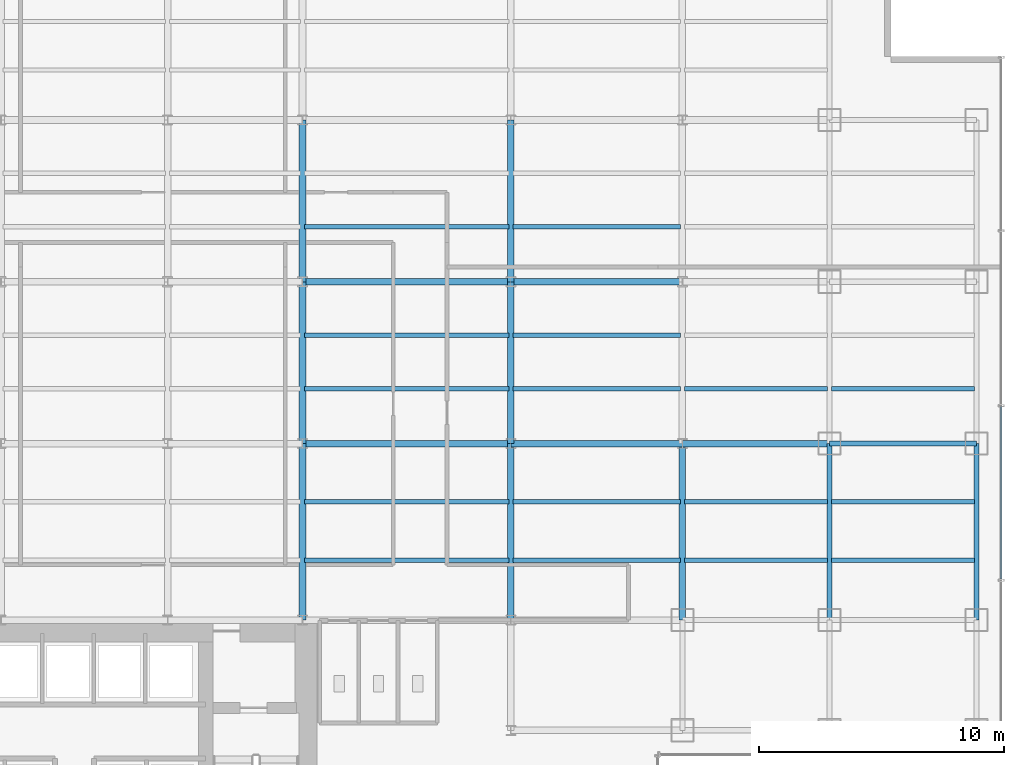
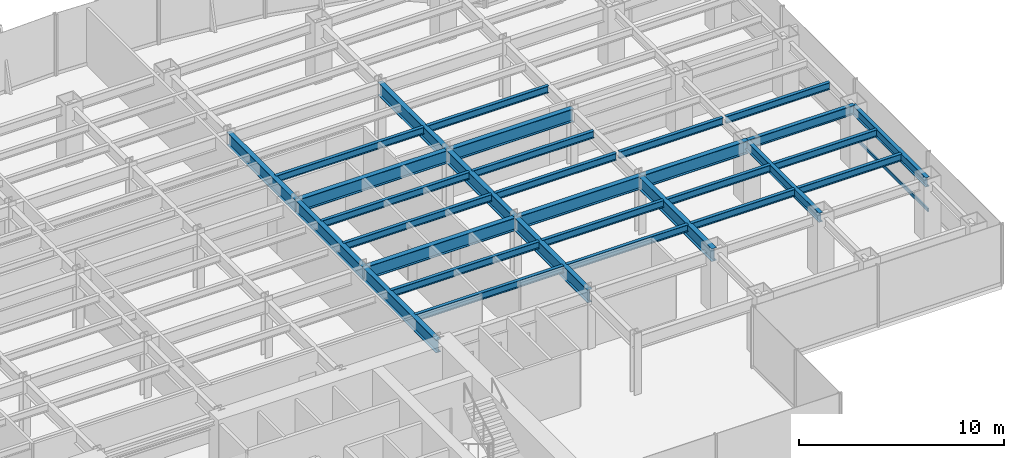
# One storey, part 8 of 22: 31 beams, 1 member, 1 element without a shape of its own.
"""IFC4 building model written with IfcOpenShell, lengths in metres."""

import ifcopenshell
import ifcopenshell.guid

model = None  # the IFC model being written
_history = None  # IfcOwnerHistory: only IFC2X3 demands one
_inside = {}  # id of a spatial element -> (the spatial element, [elements in it])
_under = {}  # id of a project, library or spatial element -> (it, [spatial elements below it])
_declared = {}  # id of a project -> (the project, [libraries it declares])
_typed = {}  # id of a type object -> (the type object, [elements of that type])
_made_of = {}  # id of a material, layer set ... -> (it, [elements and type objects made of it])


def new_model(schema):
    """Start an empty IFC model of exactly this schema.

    Asked for "IFC4X3", IfcOpenShell would pick the latest addendum, in which some entities
    have other attributes; the version numbers below select the first issue.
    IFC2X3 requires an IfcOwnerHistory on every rooted entity: one is made here for all.
    """
    global model, _history
    if schema == "IFC4X3":
        model = ifcopenshell.file(schema_version=(4, 3, 0, 0))
    else:
        model = ifcopenshell.file(schema=schema)
    _inside.clear()
    _under.clear()
    _declared.clear()
    _typed.clear()
    _made_of.clear()
    _history = None
    if model.schema == "IFC2X3":
        org = make("IfcOrganization", Name="unknown")
        user = make(
            "IfcPersonAndOrganization",
            ThePerson=make("IfcPerson", FamilyName="unknown"),
            TheOrganization=org,
        )
        app = make(
            "IfcApplication",
            ApplicationDeveloper=org,
            Version="unknown",
            ApplicationFullName="unknown",
            ApplicationIdentifier="unknown",
        )
        _history = make(
            "IfcOwnerHistory",
            OwningUser=user,
            OwningApplication=app,
            ChangeAction="ADDED",
            CreationDate=0,
        )
    return model


def make(cls, **values):
    """One entity of the class cls with the attributes given. An attribute that is None is left unset."""
    return model.create_entity(
        cls, **{name: value for name, value in values.items() if value is not None}
    )


def rooted(cls, **values):
    """An entity with a GlobalId (a new one), such as an element, a storey or a relation."""
    return make(cls, GlobalId=ifcopenshell.guid.new(), OwnerHistory=_history, **values)


def si_unit(unit_type, name, prefix=None):
    """IfcSIUnit, for example si_unit("LENGTHUNIT", "METRE", prefix="MILLI")."""
    return make("IfcSIUnit", UnitType=unit_type, Prefix=prefix, Name=name)


def derived_unit(unit_type, elements):
    """IfcDerivedUnit: a product of units, each with its exponent."""
    return make(
        "IfcDerivedUnit",
        Elements=[
            make("IfcDerivedUnitElement", Unit=unit, Exponent=power)
            for unit, power in elements
        ],
        UnitType=unit_type,
    )


def assignment(units):
    """IfcUnitAssignment: the units of a project."""
    return None if units is None else make("IfcUnitAssignment", Units=units)


def point(xyz):
    """IfcCartesianPoint."""
    return None if xyz is None else make("IfcCartesianPoint", Coordinates=xyz)


def direction(xyz):
    """IfcDirection."""
    return None if xyz is None else make("IfcDirection", DirectionRatios=xyz)


def frame(location, z_axis=None, x_axis=None):
    """IfcAxis2Placement3D, a coordinate frame: its origin and axes. An axis left out is left unset."""
    return make(
        "IfcAxis2Placement3D",
        Location=point(location),
        Axis=direction(z_axis),
        RefDirection=direction(x_axis),
    )


def frame_2d(location, x_axis=None):
    """IfcAxis2Placement2D, a coordinate frame in the plane: its origin and x axis."""
    return make(
        "IfcAxis2Placement2D", Location=point(location), RefDirection=direction(x_axis)
    )


def origin():
    """The frame at (0, 0, 0) with its axes left unset."""
    return frame((0.0, 0.0, 0.0))


def origin_2d():
    """The frame at (0, 0) in the plane with its x axis left unset."""
    return frame_2d((0.0, 0.0))


def place(relative_to, where):
    """IfcLocalPlacement: puts the frame where relative to a parent placement (None: the world)."""
    return make(
        "IfcLocalPlacement", PlacementRelTo=relative_to, RelativePlacement=where
    )


def context(
    kind, dimensions, precision=None, world=None, true_north=None, identifier=None
):
    """IfcGeometricRepresentationContext, for example the 3D "Model" context."""
    return make(
        "IfcGeometricRepresentationContext",
        ContextIdentifier=identifier,
        ContextType=kind,
        CoordinateSpaceDimension=dimensions,
        Precision=precision,
        WorldCoordinateSystem=world,
        TrueNorth=true_north,
    )


def subcontext(parent, identifier, kind, view, scale=None):
    """IfcGeometricRepresentationSubContext, for example "Body" below "Model"."""
    return make(
        "IfcGeometricRepresentationSubContext",
        ContextIdentifier=identifier,
        ContextType=kind,
        ParentContext=parent,
        TargetScale=scale,
        TargetView=view,
    )


def project(units=None, contexts=None):
    """IfcProject with its units and contexts."""
    return rooted(
        "IfcProject",
        Name="project",
        RepresentationContexts=contexts,
        UnitsInContext=assignment(units),
    )


def spatial(cls, under=None, at=None, **own):
    """A site, building, storey or space (cls), placed at a placement, below another one or the project."""
    s = rooted(cls, ObjectPlacement=at, **own)
    if under is not None:
        _under.setdefault(under.id(), (under, []))[1].append(s)
    return s


def profile(cls, at=None, kind="AREA", **sizes):
    """A parametric profile (cls). Its sizes go by their IFC names, for example OverallWidth=200.0."""
    return make(cls, ProfileType=kind, Position=at, **sizes)


def hollow_rectangle(**sizes):
    """IfcRectangleHollowProfileDef."""
    return profile("IfcRectangleHollowProfileDef", **sizes)


def i_section(**sizes):
    """IfcIShapeProfileDef."""
    return profile("IfcIShapeProfileDef", **sizes)


def extrude(swept, where, along, depth):
    """IfcExtrudedAreaSolid: the profile swept, set in the frame where, extruded along a direction by depth."""
    return make(
        "IfcExtrudedAreaSolid",
        SweptArea=swept,
        Position=where,
        ExtrudedDirection=direction(along),
        Depth=depth,
    )


def shape(context_of_items, identifier, shape_type, items):
    """IfcShapeRepresentation: the items that make up one representation, for example the "Body"."""
    return make(
        "IfcShapeRepresentation",
        ContextOfItems=context_of_items,
        RepresentationIdentifier=identifier,
        RepresentationType=shape_type,
        Items=items,
    )


def source(mapping_origin, context_of_items, identifier, shape_type, items):
    """IfcRepresentationMap: a shape defined once, which mapped items show again and again."""
    return make(
        "IfcRepresentationMap",
        MappingOrigin=mapping_origin,
        MappedRepresentation=shape(context_of_items, identifier, shape_type, items),
    )


def transform(
    local_origin,
    x_axis=None,
    y_axis=None,
    z_axis=None,
    scale=None,
    scale2=None,
    scale3=None,
    uniform=True,
):
    """IfcCartesianTransformationOperator3D, or its non-uniform kind. x_axis, y_axis, z_axis: its Axis1, 2, 3."""
    if uniform:
        return make(
            "IfcCartesianTransformationOperator3D",
            Axis1=direction(x_axis),
            Axis2=direction(y_axis),
            LocalOrigin=point(local_origin),
            Scale=scale,
            Axis3=direction(z_axis),
        )
    return make(
        "IfcCartesianTransformationOperator3DnonUniform",
        Axis1=direction(x_axis),
        Axis2=direction(y_axis),
        LocalOrigin=point(local_origin),
        Scale=scale,
        Axis3=direction(z_axis),
        Scale2=scale2,
        Scale3=scale3,
    )


def mapped(mapping_source, mapping_target):
    """IfcMappedItem: shows the shape of a source again, moved by a transform."""
    return make(
        "IfcMappedItem", MappingSource=mapping_source, MappingTarget=mapping_target
    )


def material(Name=None, Category=None):
    """IfcMaterial."""
    return make("IfcMaterial", Name=Name, Category=Category)


def material_profile(
    of_material, cross_section, Name=None, Category=None, Priority=None
):
    """IfcMaterialProfile: a cross section and its material."""
    return make(
        "IfcMaterialProfile",
        Name=Name,
        Material=of_material,
        Profile=cross_section,
        Priority=Priority,
        Category=Category,
    )


def profile_set(profiles, Name=None, composite=None):
    """IfcMaterialProfileSet."""
    return make(
        "IfcMaterialProfileSet",
        Name=Name,
        MaterialProfiles=profiles,
        CompositeProfile=composite,
    )


def made_of(thing, what):
    """Note that an element or type object is made of a material, layer set ...; save() writes the relation."""
    if what is not None:
        _made_of.setdefault(what.id(), (what, []))[1].append(thing)
    return thing


def type_object(cls, material=None, **own):
    """A type object (cls), such as IfcWallType, which elements share."""
    return made_of(rooted(cls, **own), material)


def element(
    cls,
    number,
    at=None,
    inside=None,
    cuts=None,
    type_object=None,
    material=None,
    context=None,
    identifier="Body",
    shape_type=None,
    held_by="IfcProductDefinitionShape",
    body=None,
    shapes=None,
    **own,
):
    """One element of the class cls, such as IfcWall. Its Tag is "e" and its number.

    at: its placement. inside: the storey or other place that contains it. cuts: it is an
    opening in that element (IfcRelVoidsElement). A single representation is given by context,
    identifier, shape_type and body (its items); several are given by shapes. held_by: the class
    of the entity that holds the representations. save() writes the other relations.
    """
    e = rooted(cls, Tag="e%d" % number, ObjectPlacement=at, **own)
    if body is not None:
        shapes = [shape(context, identifier, shape_type, body)]
    if shapes is not None:
        e.Representation = make(held_by, Representations=shapes)
    if inside is not None:
        _inside.setdefault(inside.id(), (inside, []))[1].append(e)
    if cuts is not None:
        rooted(
            "IfcRelVoidsElement", RelatingBuildingElement=cuts, RelatedOpeningElement=e
        )
    if type_object is not None:
        _typed.setdefault(type_object.id(), (type_object, []))[1].append(e)
    return made_of(e, material)


def aggregate(whole, parts):
    """IfcRelAggregates: a whole, such as a stair, and the parts it consists of."""
    return rooted("IfcRelAggregates", RelatingObject=whole, RelatedObjects=parts)


def save(model, path):
    """Write the relations noted so far, then the file.

    IfcRelAggregates (storeys below a building ...), IfcRelContainedInSpatialStructure (elements
    in a storey), IfcRelDefinesByType, IfcRelAssociatesMaterial and IfcRelDeclares: one each for
    every whole, place, type object, material and project.
    """
    for whole, parts in _under.values():
        aggregate(whole, parts)
    for where, things in _inside.values():
        rooted(
            "IfcRelContainedInSpatialStructure",
            RelatedElements=things,
            RelatingStructure=where,
        )
    for kind, things in _typed.values():
        rooted("IfcRelDefinesByType", RelatedObjects=things, RelatingType=kind)
    for what, things in _made_of.values():
        rooted("IfcRelAssociatesMaterial", RelatedObjects=things, RelatingMaterial=what)
    for by, libraries in _declared.values():
        rooted("IfcRelDeclares", RelatingContext=by, RelatedDefinitions=libraries)
    model.write(path)


model = new_model("IFC4")

# Units and contexts
model_context = context("Model", 3, precision=1e-05, world=origin(), true_north=direction((0.0, 1.0)))
body_context = subcontext(model_context, "Body", "Model", "MODEL_VIEW")
ifc_project = project(units=[si_unit("LENGTHUNIT", "METRE"), si_unit("AREAUNIT", "SQUARE_METRE"), si_unit("VOLUMEUNIT", "CUBIC_METRE"), si_unit("PLANEANGLEUNIT", "RADIAN"), si_unit("MASSUNIT", "GRAM", prefix="KILO"), derived_unit("THERMALTRANSMITTANCEUNIT", [(si_unit("POWERUNIT", "WATT"), 1), (si_unit("LENGTHUNIT", "METRE"), -2), (si_unit("THERMODYNAMICTEMPERATUREUNIT", "KELVIN"), -1)])], contexts=[model_context])

# Site, building, storey
site_placement = place(None, origin())
site = spatial("IfcSite", under=ifc_project, at=site_placement, CompositionType="ELEMENT")
building_placement = place(site_placement, origin())
building = spatial("IfcBuilding", under=site, at=building_placement, Name="Skarnbrae Concourse Arena and Tower", CompositionType="ELEMENT")
storey_placement = place(building_placement, frame((0.0, 0.0, 72.64990234375)))
storey = spatial("IfcBuildingStorey", under=building, at=storey_placement, Name="L17", CompositionType="ELEMENT", Elevation=72.64990234375)

# Beams
ifc_material_1 = material(Name="Steel CSA G40.21 350W", Category="steel")
ifc_material_profile_1 = material_profile(ifc_material_1, i_section(OverallWidth=0.26806640625, OverallDepth=0.77001953125, WebThickness=0.015625, FlangeThickness=0.025390625, at=origin_2d()), Name="W760X196")
ifc_profile_set_1 = profile_set([ifc_material_profile_1], Name="Steel CSA G40.21 350W")
beam_type_1 = type_object("IfcBeamType", Name="BM-GIRD-W760X196", PredefinedType="BEAM", material=ifc_profile_set_1)
shared_shape_1 = source(origin(), body_context, "Body", "SweptSolid", [
    extrude(i_section(OverallWidth=0.26806640625, OverallDepth=0.77001953125, WebThickness=0.015625, FlangeThickness=0.025390625, at=origin_2d()), origin(), (0.0, 0.0, 1.0), 7.0),
])
for number, where, z_axis, x_axis, name in (
    (1, (42.0, 21.199951171875, 3.01513671875), (1.0, 0.0, 0.0), (0.0, 1.0, 0.0), "L17 Primary E-W girder Y21.2-7"),
    (2, (42.0, 27.800048828125, 3.01513671875), (1.0, 0.0, 0.0), (0.0, 1.0, 0.0), "L17 Primary E-W girder Y27.8-7"),
):
    element("IfcBeam", number, at=place(storey_placement, frame(where, z_axis=z_axis, x_axis=x_axis)), inside=storey, type_object=beam_type_1, Name=name, PredefinedType="BEAM", context=body_context, shape_type="MappedRepresentation", body=[
        mapped(shared_shape_1, transform((0.0, 0.0, 0.0))),
    ])
ifc_material_profile_2 = material_profile(ifc_material_1, i_section(OverallWidth=0.214111328125, OverallDepth=0.549072265625, WebThickness=0.0146484375, FlangeThickness=0.023681640625, at=origin_2d()), Name="W530X138")
ifc_profile_set_2 = profile_set([ifc_material_profile_2], Name="Steel CSA G40.21 350W")
beam_type_2 = type_object("IfcBeamType", Name="BM-SPAN-W530X138", PredefinedType="SPANDREL", material=ifc_profile_set_2)
shared_shape_2 = source(origin(), body_context, "Body", "SweptSolid", [
    extrude(i_section(OverallWidth=0.214111328125, OverallDepth=0.549072265625, WebThickness=0.0146484375, FlangeThickness=0.023681640625, at=origin_2d()), origin(), (0.0, 0.0, 1.0), 6.0),
])
beam_1_placement = place(storey_placement, frame((55.0, 21.199951171875, 3.12548828125), z_axis=(1.0, 0.0, 0.0), x_axis=(0.0, 1.0, 0.0)))
element("IfcBeam", 3, at=beam_1_placement, inside=storey, type_object=beam_type_2, Name="L17 Perimeter spandrel Y21.2-9", PredefinedType="SPANDREL", context=body_context, shape_type="MappedRepresentation", body=[
    mapped(shared_shape_2, transform((0.0, 0.0, 0.0))),
])
shared_shape_3 = source(origin(), body_context, "Body", "SweptSolid", [
    extrude(i_section(OverallWidth=0.26806640625, OverallDepth=0.77001953125, WebThickness=0.015625, FlangeThickness=0.025390625, at=origin_2d()), origin(), (0.0, 0.0, 1.0), 6.60009765625),
])
for number, where, z_axis, x_axis, name in (
    (4, (33.5, 21.199951171875, 3.01513671875), (0.0, 1.0, 0.0), (-1.0, 0.0, 0.0), "L17 Primary N-S girder X33.5-2"),
    (5, (42.0, 21.199951171875, 3.01513671875), (0.0, 1.0, 0.0), (-1.0, 0.0, 0.0), "L17 Primary N-S girder X42.0-3"),
):
    element("IfcBeam", number, at=place(storey_placement, frame(where, z_axis=z_axis, x_axis=x_axis)), inside=storey, type_object=beam_type_1, Name=name, PredefinedType="BEAM", context=body_context, shape_type="MappedRepresentation", body=[
        mapped(shared_shape_3, transform((0.0, 0.0, 0.0))),
    ])
shared_shape_4 = source(origin(), body_context, "Body", "SweptSolid", [
    extrude(i_section(OverallWidth=0.26806640625, OverallDepth=0.77001953125, WebThickness=0.015625, FlangeThickness=0.025390625, at=origin_2d()), origin(), (0.0, 0.0, 1.0), 8.5),
])
for number, where, z_axis, x_axis, name in (
    (6, (33.5, 21.199951171875, 3.01513671875), (1.0, 0.0, 0.0), (0.0, 1.0, 0.0), "L17 Primary E-W girder Y21.2-6"),
    (7, (33.5, 27.800048828125, 3.01513671875), (1.0, 0.0, 0.0), (0.0, 1.0, 0.0), "L17 Primary E-W girder Y27.8-6"),
):
    element("IfcBeam", number, at=place(storey_placement, frame(where, z_axis=z_axis, x_axis=x_axis)), inside=storey, type_object=beam_type_1, Name=name, PredefinedType="BEAM", context=body_context, shape_type="MappedRepresentation", body=[
        mapped(shared_shape_4, transform((0.0, 0.0, 0.0))),
    ])
shared_shape_5 = source(origin(), body_context, "Body", "SweptSolid", [
    extrude(i_section(OverallWidth=0.26806640625, OverallDepth=0.77001953125, WebThickness=0.015625, FlangeThickness=0.025390625, at=origin_2d()), origin(), (0.0, 0.0, 1.0), 6.0),
])
beam_2_placement = place(storey_placement, frame((49.0, 21.199951171875, 3.01513671875), z_axis=(1.0, 0.0, 0.0), x_axis=(0.0, 1.0, 0.0)))
element("IfcBeam", 8, at=beam_2_placement, inside=storey, type_object=beam_type_1, Name="L17 Primary E-W girder Y21.2-8", PredefinedType="BEAM", context=body_context, shape_type="MappedRepresentation", body=[
    mapped(shared_shape_5, transform((0.0, 0.0, 0.0))),
])
shared_shape_6 = source(origin(), body_context, "Body", "SweptSolid", [
    extrude(i_section(OverallWidth=0.214111328125, OverallDepth=0.549072265625, WebThickness=0.0146484375, FlangeThickness=0.023681640625, at=origin_2d()), origin(), (0.0, 0.0, 1.0), 7.199951171875),
])
for number, where, z_axis, x_axis, name in (
    (9, (55.0, 14.0, 3.12548828125), (0.0, 1.0, 0.0), (-1.0, 0.0, 0.0), "L17 Perimeter spandrel X55.0-2"),
    (10, (61.0, 14.0, 3.12548828125), (0.0, 1.0, 0.0), (-1.0, 0.0, 0.0), "L17 Perimeter spandrel X61.0-2"),
):
    element("IfcBeam", number, at=place(storey_placement, frame(where, z_axis=z_axis, x_axis=x_axis)), inside=storey, type_object=beam_type_2, Name=name, PredefinedType="SPANDREL", context=body_context, shape_type="MappedRepresentation", body=[
        mapped(shared_shape_6, transform((0.0, 0.0, 0.0))),
    ])
shared_shape_7 = source(origin(), body_context, "Body", "SweptSolid", [
    extrude(i_section(OverallWidth=0.26806640625, OverallDepth=0.77001953125, WebThickness=0.015625, FlangeThickness=0.025390625, at=origin_2d()), origin(), (0.0, 0.0, 1.0), 7.199951171875),
])
for number, where, z_axis, x_axis, name in (
    (11, (33.5, 14.0, 3.01513671875), (0.0, 1.0, 0.0), (-1.0, 0.0, 0.0), "L17 Primary N-S girder X33.5-1"),
    (12, (42.0, 14.0, 3.01513671875), (0.0, 1.0, 0.0), (-1.0, 0.0, 0.0), "L17 Primary N-S girder X42.0-2"),
    (13, (49.0, 14.0, 3.01513671875), (0.0, 1.0, 0.0), (-1.0, 0.0, 0.0), "L17 Primary N-S girder X49.0-2"),
):
    element("IfcBeam", number, at=place(storey_placement, frame(where, z_axis=z_axis, x_axis=x_axis)), inside=storey, type_object=beam_type_1, Name=name, PredefinedType="BEAM", context=body_context, shape_type="MappedRepresentation", body=[
        mapped(shared_shape_7, transform((0.0, 0.0, 0.0))),
    ])
shared_shape_8 = source(origin(), body_context, "Body", "SweptSolid", [
    extrude(i_section(OverallWidth=0.26806640625, OverallDepth=0.77001953125, WebThickness=0.015625, FlangeThickness=0.025390625, at=origin_2d()), origin(), (0.0, 0.0, 1.0), 6.599853515625),
])
for number, where, z_axis, x_axis, name in (
    (14, (33.5, 27.800048828125, 3.01513671875), (0.0, 1.0, 0.0), (-1.0, 0.0, 0.0), "L17 Primary N-S girder X33.5-3"),
    (15, (42.0, 27.800048828125, 3.01513671875), (0.0, 1.0, 0.0), (-1.0, 0.0, 0.0), "L17 Primary N-S girder X42.0-4"),
):
    element("IfcBeam", number, at=place(storey_placement, frame(where, z_axis=z_axis, x_axis=x_axis)), inside=storey, type_object=beam_type_1, Name=name, PredefinedType="BEAM", context=body_context, shape_type="MappedRepresentation", body=[
        mapped(shared_shape_8, transform((0.0, 0.0, 0.0))),
    ])
ifc_material_profile_3 = material_profile(ifc_material_1, i_section(OverallWidth=0.180908203125, OverallDepth=0.4169921875, WebThickness=0.010986328125, FlangeThickness=0.018310546875, at=origin_2d()), Name="W410X85")
ifc_profile_set_3 = profile_set([ifc_material_profile_3], Name="Steel CSA G40.21 350W")
beam_type_3 = type_object("IfcBeamType", Name="BM-JOIST-W410X85", PredefinedType="JOIST", material=ifc_profile_set_3)
shared_shape_9 = source(origin(), body_context, "Body", "SweptSolid", [
    extrude(i_section(OverallWidth=0.180908203125, OverallDepth=0.4169921875, WebThickness=0.010986328125, FlangeThickness=0.018310546875, at=origin_2d()), origin(), (0.0, 0.0, 1.0), 8.33984375),
])
for number, where, z_axis, x_axis, name in (
    (16, (33.580078125, 16.447998046875, 3.191650390625), (1.0, 0.0, 0.0), (0.0, 1.0, 0.0), "L17 Secondary floor joist 1.1.6"),
    (17, (33.580078125, 18.823974609375, 3.191650390625), (1.0, 0.0, 0.0), (0.0, 1.0, 0.0), "L17 Secondary floor joist 1.2.6"),
    (18, (33.580078125, 23.444091796875, 3.191650390625), (1.0, 0.0, 0.0), (0.0, 1.0, 0.0), "L17 Secondary floor joist 2.1.6"),
    (19, (33.580078125, 25.6220703125, 3.191650390625), (1.0, 0.0, 0.0), (0.0, 1.0, 0.0), "L17 Secondary floor joist 2.2.6"),
    (20, (33.580078125, 30.0439453125, 3.191650390625), (1.0, 0.0, 0.0), (0.0, 1.0, 0.0), "L17 Secondary floor joist 3.1.6"),
):
    element("IfcBeam", number, at=place(storey_placement, frame(where, z_axis=z_axis, x_axis=x_axis)), inside=storey, type_object=beam_type_3, Name=name, PredefinedType="JOIST", context=body_context, shape_type="MappedRepresentation", body=[
        mapped(shared_shape_9, transform((0.0, 0.0, 0.0))),
    ])
shared_shape_10 = source(origin(), body_context, "Body", "SweptSolid", [
    extrude(i_section(OverallWidth=0.180908203125, OverallDepth=0.4169921875, WebThickness=0.010986328125, FlangeThickness=0.018310546875, at=origin_2d()), origin(), (0.0, 0.0, 1.0), 6.83984375),
])
for number, where, z_axis, x_axis, name in (
    (21, (42.080078125, 16.447998046875, 3.191650390625), (1.0, 0.0, 0.0), (0.0, 1.0, 0.0), "L17 Secondary floor joist 1.1.7"),
    (22, (42.080078125, 18.823974609375, 3.191650390625), (1.0, 0.0, 0.0), (0.0, 1.0, 0.0), "L17 Secondary floor joist 1.2.7"),
    (23, (42.080078125, 23.444091796875, 3.191650390625), (1.0, 0.0, 0.0), (0.0, 1.0, 0.0), "L17 Secondary floor joist 2.1.7"),
    (24, (42.080078125, 25.6220703125, 3.191650390625), (1.0, 0.0, 0.0), (0.0, 1.0, 0.0), "L17 Secondary floor joist 2.2.7"),
    (25, (42.080078125, 30.0439453125, 3.191650390625), (1.0, 0.0, 0.0), (0.0, 1.0, 0.0), "L17 Secondary floor joist 3.1.7"),
):
    element("IfcBeam", number, at=place(storey_placement, frame(where, z_axis=z_axis, x_axis=x_axis)), inside=storey, type_object=beam_type_3, Name=name, PredefinedType="JOIST", context=body_context, shape_type="MappedRepresentation", body=[
        mapped(shared_shape_10, transform((0.0, 0.0, 0.0))),
    ])
shared_shape_11 = source(origin(), body_context, "Body", "SweptSolid", [
    extrude(i_section(OverallWidth=0.180908203125, OverallDepth=0.4169921875, WebThickness=0.010986328125, FlangeThickness=0.018310546875, at=origin_2d()), origin(), (0.0, 0.0, 1.0), 5.83984375),
])
for number, where, z_axis, x_axis, name in (
    (26, (49.080078125, 16.447998046875, 3.191650390625), (1.0, 0.0, 0.0), (0.0, 1.0, 0.0), "L17 Secondary floor joist 1.1.8"),
    (27, (55.080078125, 16.447998046875, 3.191650390625), (1.0, 0.0, 0.0), (0.0, 1.0, 0.0), "L17 Secondary floor joist 1.1.9"),
    (28, (49.080078125, 18.823974609375, 3.191650390625), (1.0, 0.0, 0.0), (0.0, 1.0, 0.0), "L17 Secondary floor joist 1.2.8"),
    (29, (55.080078125, 18.823974609375, 3.191650390625), (1.0, 0.0, 0.0), (0.0, 1.0, 0.0), "L17 Secondary floor joist 1.2.9"),
    (30, (49.080078125, 23.444091796875, 3.191650390625), (1.0, 0.0, 0.0), (0.0, 1.0, 0.0), "L17 Secondary floor joist 2.1.8"),
    (31, (55.080078125, 23.444091796875, 3.191650390625), (1.0, 0.0, 0.0), (0.0, 1.0, 0.0), "L17 Secondary floor joist 2.1.9"),
):
    element("IfcBeam", number, at=place(storey_placement, frame(where, z_axis=z_axis, x_axis=x_axis)), inside=storey, type_object=beam_type_3, Name=name, PredefinedType="JOIST", context=body_context, shape_type="MappedRepresentation", body=[
        mapped(shared_shape_11, transform((0.0, 0.0, 0.0))),
    ])

# Curtain wall, member
ifc_material_2 = material(Name="Bronze anodised aluminium 6063-T6", Category="aluminium")
curtain_wall_type = type_object("IfcCurtainWallType", Name="CW-SYS-02-LOWZONE", PredefinedType="USERDEFINED", material=ifc_material_2)
curtain_wall_placement = place(storey_placement, origin())
curtain_wall = element("IfcCurtainWall", 32, at=curtain_wall_placement, inside=storey, type_object=curtain_wall_type, Name="L17 Unitised curtain wall CW-L17-E04", ObjectType="UNITISED CURTAIN WALL", PredefinedType="USERDEFINED")
ifc_material_profile_4 = material_profile(ifc_material_2, hollow_rectangle(XDim=0.080078125, YDim=0.18994140625, WallThickness=0.0048828125, at=origin_2d()), Name="ALU-TRAN-80X190")
ifc_profile_set_4 = profile_set([ifc_material_profile_4], Name="Bronze anodised aluminium 6063-T6")
member_type = type_object("IfcMemberType", Name="CWT-CW-02", PredefinedType="USERDEFINED", material=ifc_profile_set_4)
shared_shape_12 = source(origin(), body_context, "Body", "SweptSolid", [
    extrude(hollow_rectangle(XDim=0.080078125, YDim=0.18994140625, WallThickness=0.0048828125, at=origin_2d()), origin(), (0.0, 0.0, 1.0), 7.044921875),
])
member_placement = place(storey_placement, frame((62.0, 15.6650390625, 0.09521484375), z_axis=(0.0, 1.0, 0.0), x_axis=(-1.0, 0.0, 0.0)))
member = element("IfcMember", 33, at=member_placement, type_object=member_type, Name="CW-L17-E04 Transom 2", ObjectType="TRANSOM", PredefinedType="USERDEFINED", context=body_context, shape_type="MappedRepresentation", body=[
    mapped(shared_shape_12, transform((0.0, 0.0, 0.0))),
])
aggregate(curtain_wall, [member])

save(model, "model.ifc")
